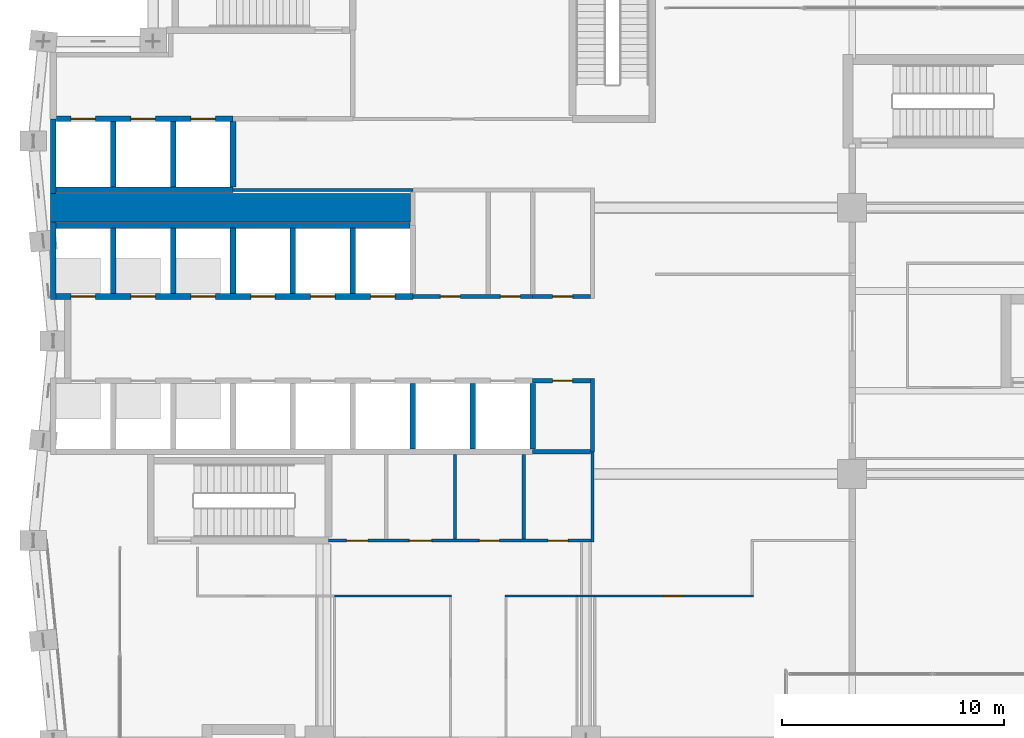
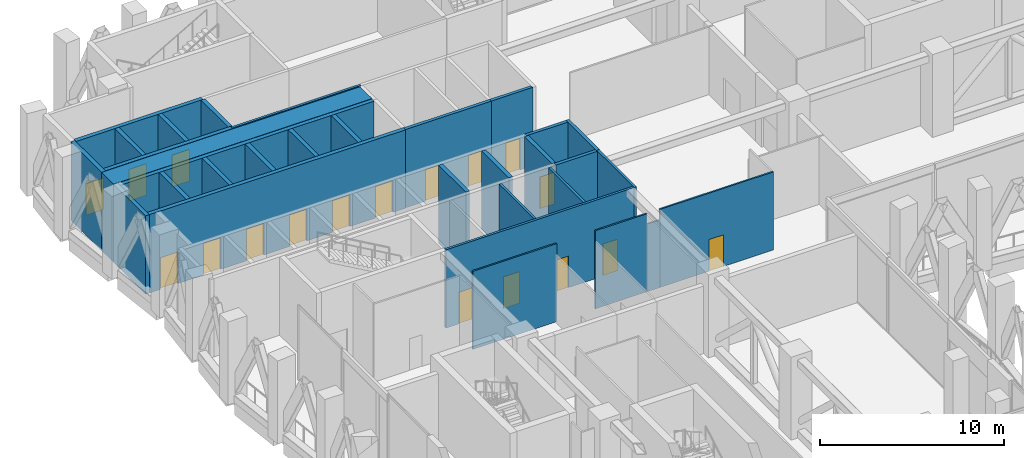
# One storey, part 23 of 37: 32 walls, 18 doors, 18 openings.
"""IFC4 building model written with IfcOpenShell, lengths in metres."""

from ifc_helpers import new_model, si_unit, direction, frame, frame_2d, origin, place, context, subcontext, project, spatial, rectangle, extrude, material, layer, layer_set, type_object, element, fill, save


model = new_model("IFC4")

# Units and contexts
model_context = context("Model", 3, precision=1e-05, world=origin(), true_north=direction((0.0, 1.0)))
body_context = subcontext(model_context, "Body", "Model", "MODEL_VIEW")
ifc_project = project(units=[si_unit("LENGTHUNIT", "METRE"), si_unit("AREAUNIT", "SQUARE_METRE"), si_unit("VOLUMEUNIT", "CUBIC_METRE"), si_unit("PLANEANGLEUNIT", "RADIAN"), si_unit("MASSUNIT", "GRAM", prefix="KILO")], contexts=[model_context])

# Site, building, storey
site_placement = place(None, origin())
site = spatial("IfcSite", under=ifc_project, at=site_placement, CompositionType="ELEMENT")
building_placement = place(site_placement, origin())
building = spatial("IfcBuilding", under=site, at=building_placement, Name="Brondeck Convention Tower", CompositionType="ELEMENT")
storey_placement = place(building_placement, frame((0.0, 0.0, 137.89990234375)))
storey = spatial("IfcBuildingStorey", under=building, at=storey_placement, Name="L33", CompositionType="ELEMENT", Elevation=137.89990234375)

# Wall, openings, doors
ifc_material_1 = material(Name="Concrete C70/85", Category="concrete")
ifc_layer_1 = layer(ifc_material_1, 0.14990234375)
ifc_layer_set_1 = layer_set([ifc_layer_1], Name="Core beam-seat wall 150 Concrete C70/85")
wall_type_1 = type_object("IfcWallType", Name="Core beam-seat wall 150 Concrete C70/85", PredefinedType="SHEAR", material=ifc_layer_set_1)
wall_1_placement = place(storey_placement, frame((12.39990234375, 36.0, 0.0), z_axis=(0.0, 0.0, 1.0), x_axis=(1.0, 0.0, 0.0)))
wall_1 = element("IfcWall", 1, at=wall_1_placement, inside=storey, type_object=wall_type_1, Name="L33 core wall", PredefinedType="SHEAR", context=body_context, shape_type="SweptSolid", body=[
    extrude(rectangle(XDim=11.8251953125, YDim=0.14990234375, at=frame_2d((5.91259765625, 0.0))), origin(), (0.0, 0.0, 1.0), 5.2001953125),
])
opening_1_placement = place(wall_1_placement, frame((0.824951171875, 0.0, 0.0)))
opening_1 = element("IfcOpeningElement", 2, at=opening_1_placement, cuts=wall_1, Name="Opening C19-03", PredefinedType="OPENING", context=body_context, shape_type="SweptSolid", body=[
    extrude(rectangle(XDim=0.949951171875, YDim=2.10009765625, at=frame_2d((0.47509765625, 1.050048828125))), frame((0.0, 0.0849609375, 0.0), z_axis=(0.0, -1.0, 0.0), x_axis=(1.0, 0.0, 0.0)), (0.0, 0.0, 1.0), 0.169921875),
])
opening_2_placement = place(wall_1_placement, frame((3.64990234375, 0.0, 0.0)))
opening_2 = element("IfcOpeningElement", 3, at=opening_2_placement, cuts=wall_1, Name="Opening C19-04", PredefinedType="OPENING", context=body_context, shape_type="SweptSolid", body=[
    extrude(rectangle(XDim=1.0, YDim=2.10009765625, at=frame_2d((0.5, 1.050048828125))), frame((0.0, 0.0849609375, 0.0), z_axis=(0.0, -1.0, 0.0), x_axis=(1.0, 0.0, 0.0)), (0.0, 0.0, 1.0), 0.169921875),
])
opening_3_placement = place(wall_1_placement, frame((6.800048828125, 0.0, 0.0)))
opening_3 = element("IfcOpeningElement", 4, at=opening_3_placement, cuts=wall_1, Name="Opening C19-05", PredefinedType="OPENING", context=body_context, shape_type="SweptSolid", body=[
    extrude(rectangle(XDim=0.89990234375, YDim=2.10009765625, at=frame_2d((0.449951171875, 1.050048828125))), frame((0.0, 0.0849609375, 0.0), z_axis=(0.0, -1.0, 0.0), x_axis=(1.0, 0.0, 0.0)), (0.0, 0.0, 1.0), 0.169921875),
])
opening_4_placement = place(wall_1_placement, frame((9.89990234375, 0.0, 0.0)))
opening_4 = element("IfcOpeningElement", 5, at=opening_4_placement, cuts=wall_1, Name="Opening C19-06", PredefinedType="OPENING", context=body_context, shape_type="SweptSolid", body=[
    extrude(rectangle(XDim=0.89990234375, YDim=2.10009765625, at=frame_2d((0.449951171875, 1.050048828125))), frame((0.0, 0.0849609375, 0.0), z_axis=(0.0, -1.0, 0.0), x_axis=(1.0, 0.0, 0.0)), (0.0, 0.0, 1.0), 0.169921875),
])
ifc_material_2 = material(Name="Steel fire door", Category="steel")
door_type_1 = type_object("IfcDoorType", Name="Room door 1000x2100 EI 60", OperationType="NOTDEFINED", PredefinedType="DOOR", material=ifc_material_2)
door_1_placement = place(opening_2_placement, origin())
door_1 = element("IfcDoor", 6, at=door_1_placement, inside=storey, type_object=door_type_1, Name="L33 Room door FR-2", OperationType="SINGLE_SWING_LEFT", OverallHeight=2.10009765625, OverallWidth=1.0, PredefinedType="DOOR", context=body_context, shape_type="SweptSolid", body=[
    extrude(rectangle(XDim=1.0, YDim=2.10009765625, at=frame_2d((0.5, 1.050048828125))), frame((0.0, 0.02490234375, 0.0), z_axis=(0.0, -1.0, 0.0), x_axis=(1.0, 0.0, 0.0)), (0.0, 0.0, 1.0), 0.050048828125),
])
fill(opening_2, door_1)
door_type_2 = type_object("IfcDoorType", Name="Room door 900x2100 EI 60", OperationType="NOTDEFINED", PredefinedType="DOOR", material=ifc_material_2)
door_2_placement = place(opening_3_placement, origin())
door_2 = element("IfcDoor", 7, at=door_2_placement, inside=storey, type_object=door_type_2, Name="L33 Room door FR-3", OperationType="SINGLE_SWING_RIGHT", OverallHeight=2.10009765625, OverallWidth=0.89990234375, PredefinedType="DOOR", context=body_context, shape_type="SweptSolid", body=[
    extrude(rectangle(XDim=0.89990234375, YDim=2.10009765625, at=frame_2d((0.449951171875, 1.050048828125))), frame((0.0, 0.02490234375, 0.0), z_axis=(0.0, -1.0, 0.0), x_axis=(1.0, 0.0, 0.0)), (0.0, 0.0, 1.0), 0.050048828125),
])
fill(opening_3, door_2)
door_3_placement = place(opening_4_placement, origin())
door_3 = element("IfcDoor", 8, at=door_3_placement, inside=storey, type_object=door_type_2, Name="L33 Room door FR-4", OperationType="SINGLE_SWING_LEFT", OverallHeight=2.10009765625, OverallWidth=0.89990234375, PredefinedType="DOOR", context=body_context, shape_type="SweptSolid", body=[
    extrude(rectangle(XDim=0.89990234375, YDim=2.10009765625, at=frame_2d((0.449951171875, 1.050048828125))), frame((0.0, 0.02490234375, 0.0), z_axis=(0.0, -1.0, 0.0), x_axis=(1.0, 0.0, 0.0)), (0.0, 0.0, 1.0), 0.050048828125),
])
fill(opening_4, door_3)
door_type_3 = type_object("IfcDoorType", Name="Room door 950x2100 EI 60", OperationType="NOTDEFINED", PredefinedType="DOOR", material=ifc_material_2)
door_4_placement = place(opening_1_placement, origin())
door_4 = element("IfcDoor", 9, at=door_4_placement, inside=storey, type_object=door_type_3, Name="L33 Room door FR-1", OperationType="SINGLE_SWING_RIGHT", OverallHeight=2.10009765625, OverallWidth=0.949951171875, PredefinedType="DOOR", context=body_context, shape_type="SweptSolid", body=[
    extrude(rectangle(XDim=0.949951171875, YDim=2.10009765625, at=frame_2d((0.47509765625, 1.050048828125))), frame((0.0, 0.02490234375, 0.0), z_axis=(0.0, -1.0, 0.0), x_axis=(1.0, 0.0, 0.0)), (0.0, 0.0, 1.0), 0.050048828125),
])
fill(opening_1, door_4)

# Walls
wall_2_placement = place(storey_placement, frame((24.300048828125, 35.925048828125, 0.0), z_axis=(0.0, 0.0, 1.0), x_axis=(0.0, 1.0, 0.0)))
element("IfcWall", 10, at=wall_2_placement, inside=storey, type_object=wall_type_1, Name="L33 core wall", PredefinedType="SHEAR", context=body_context, shape_type="SweptSolid", body=[
    extrude(rectangle(XDim=4.074951171875, YDim=0.14990234375, at=frame_2d((2.03759765625, 0.0))), origin(), (0.0, 0.0, 1.0), 5.2001953125),
])
ifc_material_3 = material(Name="Fire-rated gypsum board partition")
ifc_layer_2 = layer(ifc_material_3, 0.14990234375)
ifc_layer_set_2 = layer_set([ifc_layer_2], Name="Core partition 150 EI 60")
wall_type_2 = type_object("IfcWallType", Name="Core partition 150 EI 60", PredefinedType="PARTITIONING", material=ifc_layer_set_2)
wall_3_placement = place(storey_placement, frame((8.10009765625, 51.800048828125, 0.0), z_axis=(0.0, 0.0, 1.0), x_axis=(1.0, 0.0, 0.0)))
element("IfcWall", 11, at=wall_3_placement, inside=storey, type_object=wall_type_2, Name="L33 core wall", PredefinedType="PARTITIONING", context=body_context, shape_type="SweptSolid", body=[
    extrude(rectangle(XDim=8.099853515625, YDim=0.14990234375, at=frame_2d((4.0498046875, 0.0))), origin(), (0.0, 0.0, 1.0), 5.2001953125),
])
for number, where, z_axis, x_axis, name in (
    (12, (18.10009765625, 36.074951171875, 0.0), (0.0, 0.0, 1.0), (0.0, 1.0, 0.0), "L33 core wall"),
    (13, (21.199951171875, 36.074951171875, 0.0), (0.0, 0.0, 1.0), (0.0, 1.0, 0.0), "L33 core wall"),
):
    element("IfcWall", number, at=place(storey_placement, frame(where, z_axis=z_axis, x_axis=x_axis)), inside=storey, type_object=wall_type_2, Name=name, PredefinedType="PARTITIONING", context=body_context, shape_type="SweptSolid", body=[
        extrude(rectangle(XDim=3.800048828125, YDim=0.14990234375, at=frame_2d((1.89990234375, 0.0))), origin(), (0.0, 0.0, 1.0), 5.2001953125),
    ])
ifc_layer_3 = layer(ifc_material_1, 1.300048828125)
ifc_layer_set_3 = layer_set([ifc_layer_3], Name="Core shear wall 1300 Concrete C70/85")
wall_type_3 = type_object("IfcWallType", Name="Core shear wall 1300 Concrete C70/85", PredefinedType="SHEAR", material=ifc_layer_set_3)
wall_4_placement = place(storey_placement, frame((-0.125, 51.0, 0.0), z_axis=(0.0, 0.0, 1.0), x_axis=(1.0, 0.0, 0.0)))
element("IfcWall", 14, at=wall_4_placement, inside=storey, type_object=wall_type_3, Name="L33 core wall", PredefinedType="SHEAR", context=body_context, shape_type="SweptSolid", body=[
    extrude(rectangle(XDim=16.22509765625, YDim=1.300048828125, at=frame_2d((8.112548828125, 0.0))), origin(), (0.0, 0.0, 1.0), 5.2001953125),
])

# Wall, openings, doors
ifc_layer_4 = layer(ifc_material_1, 0.25)
ifc_layer_set_4 = layer_set([ifc_layer_4], Name="Lift shaft wall 250 Concrete C70/85")
wall_type_4 = type_object("IfcWallType", Name="Lift shaft wall 250 Concrete C70/85", PredefinedType="SHEAR", material=ifc_layer_set_4)
wall_5_placement = place(storey_placement, frame((0.125, 47.0, 0.0), z_axis=(0.0, 0.0, 1.0), x_axis=(1.0, 0.0, 0.0)))
wall_5 = element("IfcWall", 15, at=wall_5_placement, inside=storey, type_object=wall_type_4, Name="L33 core wall", PredefinedType="SHEAR", context=body_context, shape_type="SweptSolid", body=[
    extrude(rectangle(XDim=16.074951171875, YDim=0.25, at=frame_2d((8.03759765625, 0.0))), origin(), (0.0, 0.0, 1.0), 5.2001953125),
])
opening_5_placement = place(wall_5_placement, frame((0.675048828125, 0.0, 0.0)))
opening_5 = element("IfcOpeningElement", 16, at=opening_5_placement, cuts=wall_5, Name="Opening C19-24", PredefinedType="OPENING", context=body_context, shape_type="SweptSolid", body=[
    extrude(rectangle(XDim=1.10009765625, YDim=2.10009765625, at=frame_2d((0.550048828125, 1.050048828125))), frame((0.0, 0.135009765625, 0.0), z_axis=(0.0, -1.0, 0.0), x_axis=(1.0, 0.0, 0.0)), (0.0, 0.0, 1.0), 0.27001953125),
])
opening_6_placement = place(wall_5_placement, frame((3.375, 0.0, 0.0)))
opening_6 = element("IfcOpeningElement", 17, at=opening_6_placement, cuts=wall_5, Name="Opening C19-25", PredefinedType="OPENING", context=body_context, shape_type="SweptSolid", body=[
    extrude(rectangle(XDim=1.10009765625, YDim=2.10009765625, at=frame_2d((0.550048828125, 1.050048828125))), frame((0.0, 0.135009765625, 0.0), z_axis=(0.0, -1.0, 0.0), x_axis=(1.0, 0.0, 0.0)), (0.0, 0.0, 1.0), 0.27001953125),
])
opening_7_placement = place(wall_5_placement, frame((6.074951171875, 0.0, 0.0)))
opening_7 = element("IfcOpeningElement", 18, at=opening_7_placement, cuts=wall_5, Name="Opening C19-26", PredefinedType="OPENING", context=body_context, shape_type="SweptSolid", body=[
    extrude(rectangle(XDim=1.10009765625, YDim=2.10009765625, at=frame_2d((0.550048828125, 1.050048828125))), frame((0.0, 0.135009765625, 0.0), z_axis=(0.0, -1.0, 0.0), x_axis=(1.0, 0.0, 0.0)), (0.0, 0.0, 1.0), 0.27001953125),
])
opening_8_placement = place(wall_5_placement, frame((8.77490234375, 0.0, 0.0)))
opening_8 = element("IfcOpeningElement", 19, at=opening_8_placement, cuts=wall_5, Name="Opening C19-30", PredefinedType="OPENING", context=body_context, shape_type="SweptSolid", body=[
    extrude(rectangle(XDim=1.10009765625, YDim=2.10009765625, at=frame_2d((0.550048828125, 1.050048828125))), frame((0.0, 0.135009765625, 0.0), z_axis=(0.0, -1.0, 0.0), x_axis=(1.0, 0.0, 0.0)), (0.0, 0.0, 1.0), 0.27001953125),
])
opening_9_placement = place(wall_5_placement, frame((11.47509765625, 0.0, 0.0)))
opening_9 = element("IfcOpeningElement", 20, at=opening_9_placement, cuts=wall_5, Name="Opening C19-31", PredefinedType="OPENING", context=body_context, shape_type="SweptSolid", body=[
    extrude(rectangle(XDim=1.10009765625, YDim=2.10009765625, at=frame_2d((0.550048828125, 1.050048828125))), frame((0.0, 0.135009765625, 0.0), z_axis=(0.0, -1.0, 0.0), x_axis=(1.0, 0.0, 0.0)), (0.0, 0.0, 1.0), 0.27001953125),
])
opening_10_placement = place(wall_5_placement, frame((14.175048828125, 0.0, 0.0)))
opening_10 = element("IfcOpeningElement", 21, at=opening_10_placement, cuts=wall_5, Name="Opening C19-32", PredefinedType="OPENING", context=body_context, shape_type="SweptSolid", body=[
    extrude(rectangle(XDim=1.10009765625, YDim=2.10009765625, at=frame_2d((0.550048828125, 1.050048828125))), frame((0.0, 0.135009765625, 0.0), z_axis=(0.0, -1.0, 0.0), x_axis=(1.0, 0.0, 0.0)), (0.0, 0.0, 1.0), 0.27001953125),
])
ifc_material_4 = material(Name="Stainless steel lift door", Category="steel")
door_type_4 = type_object("IfcDoorType", Name="Lift landing door 1100x2100 EI 180", OperationType="DOUBLE_DOOR_SLIDING", PredefinedType="DOOR", material=ifc_material_4)
door_5_placement = place(opening_5_placement, origin())
door_5 = element("IfcDoor", 22, at=door_5_placement, inside=storey, type_object=door_type_4, Name="L33 Lift landing door HR4", OperationType="DOUBLE_DOOR_SLIDING", OverallHeight=2.10009765625, OverallWidth=1.10009765625, PredefinedType="DOOR", context=body_context, shape_type="SweptSolid", body=[
    extrude(rectangle(XDim=1.10009765625, YDim=2.10009765625, at=frame_2d((0.550048828125, 1.050048828125))), frame((0.0, 0.02490234375, 0.0), z_axis=(0.0, -1.0, 0.0), x_axis=(1.0, 0.0, 0.0)), (0.0, 0.0, 1.0), 0.050048828125),
])
fill(opening_5, door_5)
door_6_placement = place(opening_6_placement, origin())
door_6 = element("IfcDoor", 23, at=door_6_placement, inside=storey, type_object=door_type_4, Name="L33 Lift landing door HR5", OperationType="DOUBLE_DOOR_SLIDING", OverallHeight=2.10009765625, OverallWidth=1.10009765625, PredefinedType="DOOR", context=body_context, shape_type="SweptSolid", body=[
    extrude(rectangle(XDim=1.10009765625, YDim=2.10009765625, at=frame_2d((0.550048828125, 1.050048828125))), frame((0.0, 0.02490234375, 0.0), z_axis=(0.0, -1.0, 0.0), x_axis=(1.0, 0.0, 0.0)), (0.0, 0.0, 1.0), 0.050048828125),
])
fill(opening_6, door_6)
door_7_placement = place(opening_7_placement, origin())
door_7 = element("IfcDoor", 24, at=door_7_placement, inside=storey, type_object=door_type_4, Name="L33 Lift landing door HR6", OperationType="DOUBLE_DOOR_SLIDING", OverallHeight=2.10009765625, OverallWidth=1.10009765625, PredefinedType="DOOR", context=body_context, shape_type="SweptSolid", body=[
    extrude(rectangle(XDim=1.10009765625, YDim=2.10009765625, at=frame_2d((0.550048828125, 1.050048828125))), frame((0.0, 0.02490234375, 0.0), z_axis=(0.0, -1.0, 0.0), x_axis=(1.0, 0.0, 0.0)), (0.0, 0.0, 1.0), 0.050048828125),
])
fill(opening_7, door_7)
door_8_placement = place(opening_8_placement, origin())
door_8 = element("IfcDoor", 25, at=door_8_placement, inside=storey, type_object=door_type_4, Name="L33 Lift landing door LR4", OperationType="DOUBLE_DOOR_SLIDING", OverallHeight=2.10009765625, OverallWidth=1.10009765625, PredefinedType="DOOR", context=body_context, shape_type="SweptSolid", body=[
    extrude(rectangle(XDim=1.10009765625, YDim=2.10009765625, at=frame_2d((0.550048828125, 1.050048828125))), frame((0.0, 0.02490234375, 0.0), z_axis=(0.0, -1.0, 0.0), x_axis=(1.0, 0.0, 0.0)), (0.0, 0.0, 1.0), 0.050048828125),
])
fill(opening_8, door_8)
door_9_placement = place(opening_9_placement, origin())
door_9 = element("IfcDoor", 26, at=door_9_placement, inside=storey, type_object=door_type_4, Name="L33 Lift landing door LR5", OperationType="DOUBLE_DOOR_SLIDING", OverallHeight=2.10009765625, OverallWidth=1.10009765625, PredefinedType="DOOR", context=body_context, shape_type="SweptSolid", body=[
    extrude(rectangle(XDim=1.10009765625, YDim=2.10009765625, at=frame_2d((0.550048828125, 1.050048828125))), frame((0.0, 0.02490234375, 0.0), z_axis=(0.0, -1.0, 0.0), x_axis=(1.0, 0.0, 0.0)), (0.0, 0.0, 1.0), 0.050048828125),
])
fill(opening_9, door_9)
door_10_placement = place(opening_10_placement, origin())
door_10 = element("IfcDoor", 27, at=door_10_placement, inside=storey, type_object=door_type_4, Name="L33 Lift landing door LR6", OperationType="DOUBLE_DOOR_SLIDING", OverallHeight=2.10009765625, OverallWidth=1.10009765625, PredefinedType="DOOR", context=body_context, shape_type="SweptSolid", body=[
    extrude(rectangle(XDim=1.10009765625, YDim=2.10009765625, at=frame_2d((0.550048828125, 1.050048828125))), frame((0.0, 0.02490234375, 0.0), z_axis=(0.0, -1.0, 0.0), x_axis=(1.0, 0.0, 0.0)), (0.0, 0.0, 1.0), 0.050048828125),
])
fill(opening_10, door_10)

# Walls
wall_6_placement = place(storey_placement, frame((0.125, 50.199951171875, 0.0), z_axis=(0.0, 0.0, 1.0), x_axis=(1.0, 0.0, 0.0)))
element("IfcWall", 28, at=wall_6_placement, inside=storey, type_object=wall_type_4, Name="L33 core wall", PredefinedType="SHEAR", context=body_context, shape_type="SweptSolid", body=[
    extrude(rectangle(XDim=15.949951171875, YDim=0.25, at=frame_2d((7.97509765625, 0.0))), origin(), (0.0, 0.0, 1.0), 5.2001953125),
])
wall_7_placement = place(storey_placement, frame((0.125, 51.800048828125, 0.0), z_axis=(0.0, 0.0, 1.0), x_axis=(1.0, 0.0, 0.0)))
element("IfcWall", 29, at=wall_7_placement, inside=storey, type_object=wall_type_4, Name="L33 core wall", PredefinedType="SHEAR", context=body_context, shape_type="SweptSolid", body=[
    extrude(rectangle(XDim=7.97509765625, YDim=0.25, at=frame_2d((3.987548828125, 0.0))), origin(), (0.0, 0.0, 1.0), 5.2001953125),
])

# Wall, openings, doors
wall_8_placement = place(storey_placement, frame((0.14990234375, 55.0, 0.0), z_axis=(0.0, 0.0, 1.0), x_axis=(1.0, 0.0, 0.0)))
wall_8 = element("IfcWall", 30, at=wall_8_placement, inside=storey, type_object=wall_type_4, Name="L33 core wall", PredefinedType="SHEAR", context=body_context, shape_type="SweptSolid", body=[
    extrude(rectangle(XDim=7.9501953125, YDim=0.25, at=frame_2d((3.97509765625, 0.0))), origin(), (0.0, 0.0, 1.0), 5.2001953125),
])
opening_11_placement = place(wall_8_placement, frame((0.64990234375, 0.0, 0.0)))
opening_11 = element("IfcOpeningElement", 31, at=opening_11_placement, cuts=wall_8, Name="Opening C19-18", PredefinedType="OPENING", context=body_context, shape_type="SweptSolid", body=[
    extrude(rectangle(XDim=1.10009765625, YDim=2.10009765625, at=frame_2d((0.550048828125, 1.050048828125))), frame((0.0, 0.135009765625, 0.0), z_axis=(0.0, -1.0, 0.0), x_axis=(1.0, 0.0, 0.0)), (0.0, 0.0, 1.0), 0.27001953125),
])
opening_12_placement = place(wall_8_placement, frame((3.35009765625, 0.0, 0.0)))
opening_12 = element("IfcOpeningElement", 32, at=opening_12_placement, cuts=wall_8, Name="Opening C19-19", PredefinedType="OPENING", context=body_context, shape_type="SweptSolid", body=[
    extrude(rectangle(XDim=1.10009765625, YDim=2.10009765625, at=frame_2d((0.550048828125, 1.050048828125))), frame((0.0, 0.135009765625, 0.0), z_axis=(0.0, -1.0, 0.0), x_axis=(1.0, 0.0, 0.0)), (0.0, 0.0, 1.0), 0.27001953125),
])
opening_13_placement = place(wall_8_placement, frame((6.050048828125, 0.0, 0.0)))
opening_13 = element("IfcOpeningElement", 33, at=opening_13_placement, cuts=wall_8, Name="Opening C19-20", PredefinedType="OPENING", context=body_context, shape_type="SweptSolid", body=[
    extrude(rectangle(XDim=1.10009765625, YDim=2.10009765625, at=frame_2d((0.550048828125, 1.050048828125))), frame((0.0, 0.135009765625, 0.0), z_axis=(0.0, -1.0, 0.0), x_axis=(1.0, 0.0, 0.0)), (0.0, 0.0, 1.0), 0.27001953125),
])
door_11_placement = place(opening_11_placement, origin())
door_11 = element("IfcDoor", 34, at=door_11_placement, inside=storey, type_object=door_type_4, Name="L33 Lift landing door FF1", OperationType="DOUBLE_DOOR_SLIDING", OverallHeight=2.10009765625, OverallWidth=1.10009765625, PredefinedType="DOOR", context=body_context, shape_type="SweptSolid", body=[
    extrude(rectangle(XDim=1.10009765625, YDim=2.10009765625, at=frame_2d((0.550048828125, 1.050048828125))), frame((0.0, 0.02490234375, 0.0), z_axis=(0.0, -1.0, 0.0), x_axis=(1.0, 0.0, 0.0)), (0.0, 0.0, 1.0), 0.050048828125),
])
fill(opening_11, door_11)
door_12_placement = place(opening_12_placement, origin())
door_12 = element("IfcDoor", 35, at=door_12_placement, inside=storey, type_object=door_type_4, Name="L33 Lift landing door FF2", OperationType="DOUBLE_DOOR_SLIDING", OverallHeight=2.10009765625, OverallWidth=1.10009765625, PredefinedType="DOOR", context=body_context, shape_type="SweptSolid", body=[
    extrude(rectangle(XDim=1.10009765625, YDim=2.10009765625, at=frame_2d((0.550048828125, 1.050048828125))), frame((0.0, 0.02490234375, 0.0), z_axis=(0.0, -1.0, 0.0), x_axis=(1.0, 0.0, 0.0)), (0.0, 0.0, 1.0), 0.050048828125),
])
fill(opening_12, door_12)
door_13_placement = place(opening_13_placement, origin())
door_13 = element("IfcDoor", 36, at=door_13_placement, inside=storey, type_object=door_type_4, Name="L33 Lift landing door FF3", OperationType="DOUBLE_DOOR_SLIDING", OverallHeight=2.10009765625, OverallWidth=1.10009765625, PredefinedType="DOOR", context=body_context, shape_type="SweptSolid", body=[
    extrude(rectangle(XDim=1.10009765625, YDim=2.10009765625, at=frame_2d((0.550048828125, 1.050048828125))), frame((0.0, 0.02490234375, 0.0), z_axis=(0.0, -1.0, 0.0), x_axis=(1.0, 0.0, 0.0)), (0.0, 0.0, 1.0), 0.050048828125),
])
fill(opening_13, door_13)

# Walls
wall_9_placement = place(storey_placement, frame((0.0, 46.875, 0.0), z_axis=(0.0, 0.0, 1.0), x_axis=(0.0, 1.0, 0.0)))
element("IfcWall", 37, at=wall_9_placement, inside=storey, type_object=wall_type_4, Name="L33 core wall", PredefinedType="SHEAR", context=body_context, shape_type="SweptSolid", body=[
    extrude(rectangle(XDim=3.47509765625, YDim=0.25, at=frame_2d((1.737548828125, 0.0))), origin(), (0.0, 0.0, 1.0), 5.2001953125),
])
wall_10_placement = place(storey_placement, frame((0.0, 51.64990234375, 0.0), z_axis=(0.0, 0.0, 1.0), x_axis=(0.0, 1.0, 0.0)))
element("IfcWall", 38, at=wall_10_placement, inside=storey, type_object=wall_type_4, Name="L33 core wall", PredefinedType="SHEAR", context=body_context, shape_type="SweptSolid", body=[
    extrude(rectangle(XDim=3.35009765625, YDim=0.25, at=frame_2d((1.675048828125, 0.0))), origin(), (0.0, 0.0, 1.0), 5.2001953125),
])
for number, where, z_axis, x_axis, name in (
    (39, (2.699951171875, 47.125, 0.0), (0.0, 0.0, 1.0), (0.0, 1.0, 0.0), "L33 core wall"),
    (40, (2.699951171875, 51.925048828125, 0.0), (0.0, 0.0, 1.0), (0.0, 1.0, 0.0), "L33 core wall"),
    (41, (5.39990234375, 47.125, 0.0), (0.0, 0.0, 1.0), (0.0, 1.0, 0.0), "L33 core wall"),
    (42, (5.39990234375, 51.925048828125, 0.0), (0.0, 0.0, 1.0), (0.0, 1.0, 0.0), "L33 core wall"),
    (43, (8.10009765625, 47.125, 0.0), (0.0, 0.0, 1.0), (0.0, 1.0, 0.0), "L33 core wall"),
    (44, (8.10009765625, 51.925048828125, 0.0), (0.0, 0.0, 1.0), (0.0, 1.0, 0.0), "L33 core wall"),
    (45, (10.800048828125, 47.125, 0.0), (0.0, 0.0, 1.0), (0.0, 1.0, 0.0), "L33 core wall"),
    (46, (13.5, 47.125, 0.0), (0.0, 0.0, 1.0), (0.0, 1.0, 0.0), "L33 core wall"),
    (47, (16.199951171875, 40.125, 0.0), (0.0, 0.0, 1.0), (0.0, 1.0, 0.0), "L33 core wall"),
    (48, (18.89990234375, 40.125, 0.0), (0.0, 0.0, 1.0), (0.0, 1.0, 0.0), "L33 core wall"),
    (49, (21.60009765625, 40.125, 0.0), (0.0, 0.0, 1.0), (0.0, 1.0, 0.0), "L33 core wall"),
):
    element("IfcWall", number, at=place(storey_placement, frame(where, z_axis=z_axis, x_axis=x_axis)), inside=storey, type_object=wall_type_4, Name=name, PredefinedType="SHEAR", context=body_context, shape_type="SweptSolid", body=[
        extrude(rectangle(XDim=2.949951171875, YDim=0.25, at=frame_2d((1.47509765625, 0.0))), origin(), (0.0, 0.0, 1.0), 5.2001953125),
    ])
ifc_layer_5 = layer(ifc_material_3, 0.199951171875)
ifc_layer_set_5 = layer_set([ifc_layer_5], Name="Plant room wall 200 EI 120")
wall_type_5 = type_object("IfcWallType", Name="Plant room wall 200 EI 120", PredefinedType="PARTITIONING", material=ifc_layer_set_5)
wall_11_placement = place(storey_placement, frame((21.60009765625, 40.0, 0.0), z_axis=(0.0, 0.0, 1.0), x_axis=(1.0, 0.0, 0.0)))
element("IfcWall", 50, at=wall_11_placement, inside=storey, type_object=wall_type_5, Name="L33 core wall", PredefinedType="PARTITIONING", context=body_context, shape_type="SweptSolid", body=[
    extrude(rectangle(XDim=2.599853515625, YDim=0.199951171875, at=frame_2d((1.2998046875, 0.0))), origin(), (0.0, 0.0, 1.0), 5.2001953125),
])

# Wall, opening, door
wall_12_placement = place(storey_placement, frame((21.60009765625, 43.199951171875, 0.0), z_axis=(0.0, 0.0, 1.0), x_axis=(1.0, 0.0, 0.0)))
wall_12 = element("IfcWall", 51, at=wall_12_placement, inside=storey, type_object=wall_type_5, Name="L33 core wall", PredefinedType="PARTITIONING", context=body_context, shape_type="SweptSolid", body=[
    extrude(rectangle(XDim=2.599853515625, YDim=0.199951171875, at=frame_2d((1.2998046875, 0.0))), origin(), (0.0, 0.0, 1.0), 5.2001953125),
])
opening_14_placement = place(wall_12_placement, frame((0.89990234375, 0.0, 0.0)))
opening_14 = element("IfcOpeningElement", 52, at=opening_14_placement, cuts=wall_12, Name="Opening C19-09", PredefinedType="OPENING", context=body_context, shape_type="SweptSolid", body=[
    extrude(rectangle(XDim=0.89990234375, YDim=2.10009765625, at=frame_2d((0.449951171875, 1.050048828125))), frame((0.0, 0.10986328125, 0.0), z_axis=(0.0, -1.0, 0.0), x_axis=(1.0, 0.0, 0.0)), (0.0, 0.0, 1.0), 0.219970703125),
])
door_type_5 = type_object("IfcDoorType", Name="Room door 900x2100 EI 120", OperationType="NOTDEFINED", PredefinedType="DOOR", material=ifc_material_2)
door_14_placement = place(opening_14_placement, origin())
door_14 = element("IfcDoor", 53, at=door_14_placement, inside=storey, type_object=door_type_5, Name="L33 Room door FZ-S-21.6-1", OperationType="SINGLE_SWING_RIGHT", OverallHeight=2.10009765625, OverallWidth=0.89990234375, PredefinedType="DOOR", context=body_context, shape_type="SweptSolid", body=[
    extrude(rectangle(XDim=0.89990234375, YDim=2.10009765625, at=frame_2d((0.449951171875, 1.050048828125))), frame((0.0, 0.02490234375, 0.0), z_axis=(0.0, -1.0, 0.0), x_axis=(1.0, 0.0, 0.0)), (0.0, 0.0, 1.0), 0.050048828125),
])
fill(opening_14, door_14)

# Wall, openings, doors
wall_13_placement = place(storey_placement, frame((16.199951171875, 47.0, 0.0), z_axis=(0.0, 0.0, 1.0), x_axis=(1.0, 0.0, 0.0)))
wall_13 = element("IfcWall", 54, at=wall_13_placement, inside=storey, type_object=wall_type_5, Name="L33 core wall", PredefinedType="PARTITIONING", context=body_context, shape_type="SweptSolid", body=[
    extrude(rectangle(XDim=5.400146484375, YDim=0.199951171875, at=frame_2d((2.7001953125, 0.0))), origin(), (0.0, 0.0, 1.0), 5.2001953125),
])
opening_15_placement = place(wall_13_placement, frame((1.25, 0.0, 0.0)))
opening_15 = element("IfcOpeningElement", 55, at=opening_15_placement, cuts=wall_13, Name="Opening C19-07", PredefinedType="OPENING", context=body_context, shape_type="SweptSolid", body=[
    extrude(rectangle(XDim=0.89990234375, YDim=2.10009765625, at=frame_2d((0.449951171875, 1.050048828125))), frame((0.0, 0.10986328125, 0.0), z_axis=(0.0, -1.0, 0.0), x_axis=(1.0, 0.0, 0.0)), (0.0, 0.0, 1.0), 0.219970703125),
])
opening_16_placement = place(wall_13_placement, frame((3.949951171875, 0.0, 0.0)))
opening_16 = element("IfcOpeningElement", 56, at=opening_16_placement, cuts=wall_13, Name="Opening C19-08", PredefinedType="OPENING", context=body_context, shape_type="SweptSolid", body=[
    extrude(rectangle(XDim=0.89990234375, YDim=2.10009765625, at=frame_2d((0.449951171875, 1.050048828125))), frame((0.0, 0.10986328125, 0.0), z_axis=(0.0, -1.0, 0.0), x_axis=(1.0, 0.0, 0.0)), (0.0, 0.0, 1.0), 0.219970703125),
])
door_15_placement = place(opening_15_placement, origin())
door_15 = element("IfcDoor", 57, at=door_15_placement, inside=storey, type_object=door_type_5, Name="L33 Room door FZ-N-16.2-1", OperationType="SINGLE_SWING_LEFT", OverallHeight=2.10009765625, OverallWidth=0.89990234375, PredefinedType="DOOR", context=body_context, shape_type="SweptSolid", body=[
    extrude(rectangle(XDim=0.89990234375, YDim=2.10009765625, at=frame_2d((0.449951171875, 1.050048828125))), frame((0.0, 0.02490234375, 0.0), z_axis=(0.0, -1.0, 0.0), x_axis=(1.0, 0.0, 0.0)), (0.0, 0.0, 1.0), 0.050048828125),
])
fill(opening_15, door_15)
door_16_placement = place(opening_16_placement, origin())
door_16 = element("IfcDoor", 58, at=door_16_placement, inside=storey, type_object=door_type_5, Name="L33 Room door FZ-N-16.2-2", OperationType="SINGLE_SWING_RIGHT", OverallHeight=2.10009765625, OverallWidth=0.89990234375, PredefinedType="DOOR", context=body_context, shape_type="SweptSolid", body=[
    extrude(rectangle(XDim=0.89990234375, YDim=2.10009765625, at=frame_2d((0.449951171875, 1.050048828125))), frame((0.0, 0.02490234375, 0.0), z_axis=(0.0, -1.0, 0.0), x_axis=(1.0, 0.0, 0.0)), (0.0, 0.0, 1.0), 0.050048828125),
])
fill(opening_16, door_16)

# Wall
wall_14_placement = place(storey_placement, frame((24.300048828125, 40.0, 0.0), z_axis=(0.0, 0.0, 1.0), x_axis=(0.0, 1.0, 0.0)))
element("IfcWall", 59, at=wall_14_placement, inside=storey, type_object=wall_type_5, Name="L33 core wall", PredefinedType="PARTITIONING", context=body_context, shape_type="SweptSolid", body=[
    extrude(rectangle(XDim=3.300048828125, YDim=0.199951171875, at=frame_2d((1.64990234375, 0.0))), origin(), (0.0, 0.0, 1.0), 5.2001953125),
])

# Wall, opening, door
ifc_layer_6 = layer(ifc_material_3, 0.199951171875)
ifc_layer_set_6 = layer_set([ifc_layer_6], Name="Riser wall 200 EI 120")
wall_type_6 = type_object("IfcWallType", Name="Riser wall 200 EI 120", PredefinedType="PARTITIONING", material=ifc_layer_set_6)
wall_15_placement = place(storey_placement, frame((21.60009765625, 47.0, 0.0), z_axis=(0.0, 0.0, 1.0), x_axis=(1.0, 0.0, 0.0)))
wall_15 = element("IfcWall", 60, at=wall_15_placement, inside=storey, type_object=wall_type_6, Name="L33 core wall", PredefinedType="PARTITIONING", context=body_context, shape_type="SweptSolid", body=[
    extrude(rectangle(XDim=2.599853515625, YDim=0.199951171875, at=frame_2d((1.2998046875, 0.0))), origin(), (0.0, 0.0, 1.0), 5.2001953125),
])
opening_17_placement = place(wall_15_placement, frame((0.89990234375, 0.0, 0.0)))
opening_17 = element("IfcOpeningElement", 61, at=opening_17_placement, cuts=wall_15, Name="Opening C19-02", PredefinedType="OPENING", context=body_context, shape_type="SweptSolid", body=[
    extrude(rectangle(XDim=0.89990234375, YDim=2.10009765625, at=frame_2d((0.449951171875, 1.050048828125))), frame((0.0, 0.10986328125, 0.0), z_axis=(0.0, -1.0, 0.0), x_axis=(1.0, 0.0, 0.0)), (0.0, 0.0, 1.0), 0.219970703125),
])
door_type_6 = type_object("IfcDoorType", Name="Riser door 900x2100 EI 120", OperationType="NOTDEFINED", PredefinedType="DOOR", material=ifc_material_2)
door_17_placement = place(opening_17_placement, origin())
door_17 = element("IfcDoor", 62, at=door_17_placement, inside=storey, type_object=door_type_6, Name="L33 Riser door EN-1", OperationType="SINGLE_SWING_LEFT", OverallHeight=2.10009765625, OverallWidth=0.89990234375, PredefinedType="DOOR", context=body_context, shape_type="SweptSolid", body=[
    extrude(rectangle(XDim=0.89990234375, YDim=2.10009765625, at=frame_2d((0.449951171875, 1.050048828125))), frame((0.0, 0.02490234375, 0.0), z_axis=(0.0, -1.0, 0.0), x_axis=(1.0, 0.0, 0.0)), (0.0, 0.0, 1.0), 0.050048828125),
])
fill(opening_17, door_17)

# Walls
ifc_material_5 = material(Name="Gypsum board partition on steel studs", Category="steel")
ifc_layer_7 = layer(ifc_material_5, 0.10009765625)
ifc_layer_set_7 = layer_set([ifc_layer_7], Name="Room partition 100")
wall_type_7 = type_object("IfcWallType", Name="Room partition 100", PredefinedType="PARTITIONING", material=ifc_layer_set_7)
wall_16_placement = place(storey_placement, frame((17.949951171875, 33.5, 0.0), z_axis=(0.0, 0.0, 1.0), x_axis=(-1.0, 0.0, 0.0)))
element("IfcWall", 63, at=wall_16_placement, inside=storey, type_object=wall_type_7, Name="FLR-L33-W028", PredefinedType="PARTITIONING", context=body_context, shape_type="SweptSolid", body=[
    extrude(rectangle(XDim=5.280029296875, YDim=0.10009765625, at=frame_2d((2.64013671875, 0.0))), origin(), (0.0, 0.0, 1.0), 5.18017578125),
])
wall_17_placement = place(storey_placement, frame((23.60009765625, 33.5, 0.0), z_axis=(0.0, 0.0, 1.0), x_axis=(-1.0, 0.0, 0.0)))
element("IfcWall", 64, at=wall_17_placement, inside=storey, type_object=wall_type_7, Name="FLR-L33-W029", PredefinedType="PARTITIONING", context=body_context, shape_type="SweptSolid", body=[
    extrude(rectangle(XDim=3.25, YDim=0.10009765625, at=frame_2d((1.625, 0.0))), origin(), (0.0, 0.0, 1.0), 5.18017578125),
])
wall_18_placement = place(storey_placement, frame((24.39990234375, 33.5, 0.0), z_axis=(0.0, 0.0, 1.0), x_axis=(-1.0, 0.0, 0.0)))
element("IfcWall", 65, at=wall_18_placement, inside=storey, type_object=wall_type_7, Name="FLR-L33-W030", PredefinedType="PARTITIONING", context=body_context, shape_type="SweptSolid", body=[
    extrude(rectangle(XDim=0.7998046875, YDim=0.10009765625, at=frame_2d((0.39990234375, 0.0))), origin(), (0.0, 0.0, 1.0), 4.47998046875),
])

# Wall, opening, door
wall_19_placement = place(storey_placement, frame((31.550048828125, 33.5, 0.0), z_axis=(0.0, 0.0, 1.0), x_axis=(-1.0, 0.0, 0.0)))
wall_19 = element("IfcWall", 66, at=wall_19_placement, inside=storey, type_object=wall_type_7, Name="FLR-L33-W031", PredefinedType="PARTITIONING", context=body_context, shape_type="SweptSolid", body=[
    extrude(rectangle(XDim=7.150146484375, YDim=0.10009765625, at=frame_2d((3.5751953125, 0.0))), origin(), (0.0, 0.0, 1.0), 5.18017578125),
])
opening_18_placement = place(wall_19_placement, frame((3.14990234375, 0.0, 0.0)))
opening_18 = element("IfcOpeningElement", 67, at=opening_18_placement, cuts=wall_19, Name="Opening BD-2-005", PredefinedType="OPENING", context=body_context, shape_type="SweptSolid", body=[
    extrude(rectangle(XDim=0.89990234375, YDim=2.10009765625, at=frame_2d((0.449951171875, 1.050048828125))), frame((0.0, 0.06005859375, 0.0), z_axis=(0.0, -1.0, 0.0), x_axis=(1.0, 0.0, 0.0)), (0.0, 0.0, 1.0), 0.1201171875),
])
ifc_material_6 = material(Name="Solid timber door leaf", Category="wood")
door_type_7 = type_object("IfcDoorType", Name="Single door 900", OperationType="NOTDEFINED", PredefinedType="DOOR", material=ifc_material_6)
door_18_placement = place(opening_18_placement, origin())
door_18 = element("IfcDoor", 68, at=door_18_placement, inside=storey, type_object=door_type_7, Name="Door BD-2-005", OperationType="SINGLE_SWING_RIGHT", OverallHeight=2.10009765625, OverallWidth=0.89990234375, PredefinedType="DOOR", context=body_context, shape_type="SweptSolid", body=[
    extrude(rectangle(XDim=0.89990234375, YDim=2.10009765625, at=frame_2d((0.449951171875, 1.050048828125))), frame((0.0, 0.02490234375, 0.0), z_axis=(0.0, -1.0, 0.0), x_axis=(1.0, 0.0, 0.0)), (0.0, 0.0, 1.0), 0.050048828125),
])
fill(opening_18, door_18)

save(model, "model.ifc")
